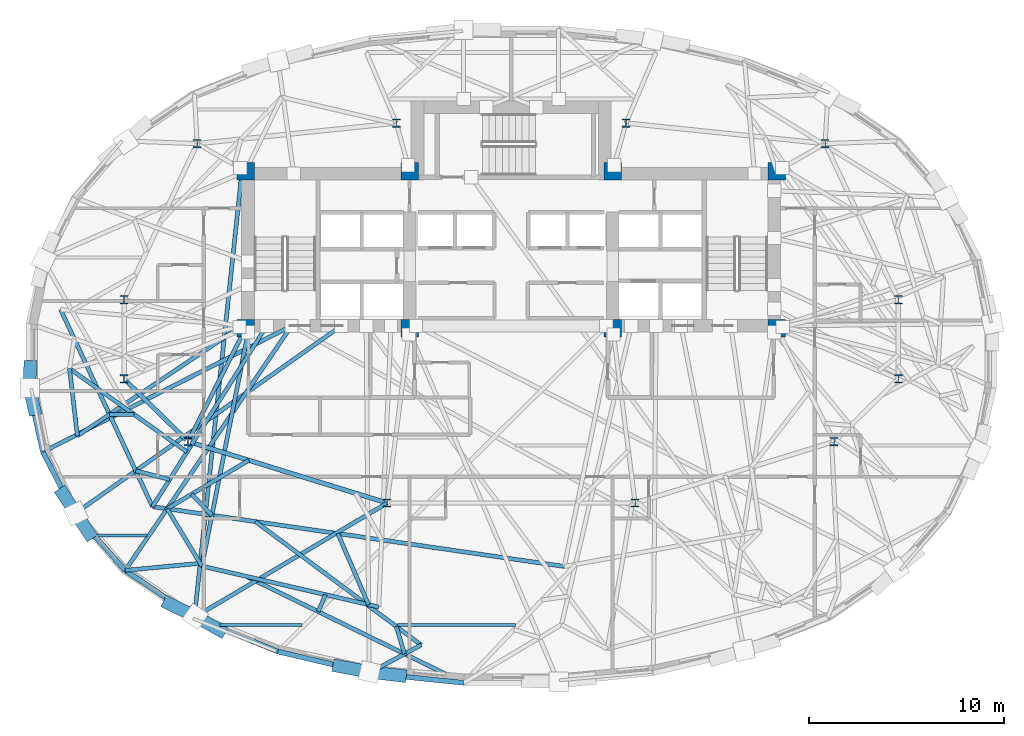
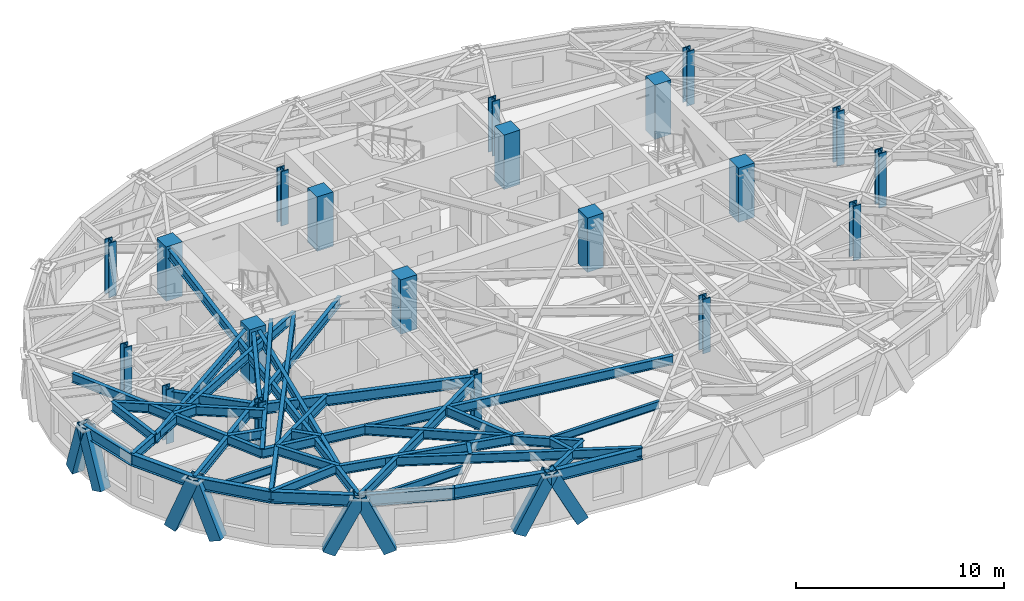
# One storey, part 1 of 14: 38 beams, 20 columns, 8 members.
"""IFC4 building model written with IfcOpenShell, lengths in metres."""

from ifc_helpers import new_model, si_unit, direction, frame, origin, origin_2d, place, context, subcontext, project, spatial, rectangle, hollow_rectangle, i_section, extrude, material, material_profile, profile_set, type_object, element, save


model = new_model("IFC4")

# Units and contexts
model_context = context("Model", 3, precision=1e-05, world=origin(), true_north=direction((0.0, 1.0)))
body_context = subcontext(model_context, "Body", "Model", "MODEL_VIEW")
ifc_project = project(units=[si_unit("LENGTHUNIT", "METRE"), si_unit("AREAUNIT", "SQUARE_METRE"), si_unit("VOLUMEUNIT", "CUBIC_METRE"), si_unit("PLANEANGLEUNIT", "RADIAN"), si_unit("MASSUNIT", "GRAM", prefix="KILO")], contexts=[model_context])

# Site, building, storey
site_placement = place(None, origin())
site = spatial("IfcSite", under=ifc_project, at=site_placement, CompositionType="ELEMENT")
building_placement = place(site_placement, origin())
building = spatial("IfcBuilding", under=site, at=building_placement, Name="Keldmark Tower", CompositionType="ELEMENT")
storey_placement = place(building_placement, frame((0.0, 0.0, 153.39990234375)))
storey = spatial("IfcBuildingStorey", under=building, at=storey_placement, Name="L41", CompositionType="ELEMENT", Elevation=153.39990234375)

# Columns
ifc_material_1 = material(Name="Concrete C50/60", Category="concrete")
ifc_material_profile_1 = material_profile(ifc_material_1, rectangle(XDim=0.89990234375, YDim=0.89990234375, at=origin_2d()), Name="RC900X900")
ifc_profile_set_1 = profile_set([ifc_material_profile_1], Name="Concrete C50/60")
column_type_1 = type_object("IfcColumnType", Name="Core Boundary Column RC900", PredefinedType="COLUMN", material=ifc_profile_set_1)
for number, where, z_axis, x_axis, name in (
    (1, (-13.60009765625, 1.39990234375, 0.0), (0.0, 0.0, 1.0), (1.0, 0.0, 0.0), "L41 Core Boundary Column CC-W1"),
    (2, (-13.60009765625, 9.449951171875, 0.0), (0.0, 0.0, 1.0), (1.0, 0.0, 0.0), "L41 Core Boundary Column CC-W2"),
    (3, (-5.199951171875, 1.39990234375, 0.0), (0.0, 0.0, 1.0), (1.0, 0.0, 0.0), "L41 Core Boundary Column CC-W3"),
    (4, (-5.199951171875, 9.449951171875, 0.0), (0.0, 0.0, 1.0), (1.0, 0.0, 0.0), "L41 Core Boundary Column CC-W4"),
    (5, (5.199951171875, 1.39990234375, 0.0), (0.0, 0.0, 1.0), (1.0, 0.0, 0.0), "L41 Core Boundary Column CC-E1"),
    (6, (5.199951171875, 9.449951171875, 0.0), (0.0, 0.0, 1.0), (1.0, 0.0, 0.0), "L41 Core Boundary Column CC-E2"),
    (7, (13.60009765625, 1.39990234375, 0.0), (0.0, 0.0, 1.0), (1.0, 0.0, 0.0), "L41 Core Boundary Column CC-E3"),
    (8, (13.60009765625, 9.449951171875, 0.0), (0.0, 0.0, 1.0), (1.0, 0.0, 0.0), "L41 Core Boundary Column CC-E4"),
):
    element("IfcColumn", number, at=place(storey_placement, frame(where, z_axis=z_axis, x_axis=x_axis)), inside=storey, type_object=column_type_1, Name=name, PredefinedType="COLUMN", context=body_context, shape_type="SweptSolid", body=[
        extrude(rectangle(XDim=0.89990234375, YDim=0.89990234375, at=origin_2d()), origin(), (0.0, 0.0, 1.0), 3.2001953125),
    ])
ifc_material_2 = material(Name="Steel ASTM A992 Grade 50", Category="steel")
ifc_material_profile_2 = material_profile(ifc_material_2, i_section(OverallWidth=0.412109375, OverallDepth=0.43505859375, WebThickness=0.035888671875, FlangeThickness=0.057373046875, at=origin_2d()), Name="W14X311")
ifc_profile_set_2 = profile_set([ifc_material_profile_2], Name="Steel ASTM A992 Grade 50")
column_type_2 = type_object("IfcColumnType", Name="Tower Gravity Column W14X311", PredefinedType="COLUMN", material=ifc_profile_set_2)
for number, where, z_axis, x_axis, name in (
    (9, (19.828369140625, 2.869140625, 0.0), (0.0, 0.0, 1.0), (1.0, 0.0, 0.0), "L41 Tower Gravity Column TC-E1"),
    (10, (16.08154296875, 10.861083984375, 0.0), (0.0, 0.0, 1.0), (1.0, 0.0, 0.0), "L41 Tower Gravity Column TC-E4"),
    (11, (5.880126953125, 11.915283203125, 0.0), (0.0, 0.0, 1.0), (1.0, 0.0, 0.0), "L41 Tower Gravity Column TC-N2"),
    (12, (-5.880126953125, 11.915283203125, 0.0), (0.0, 0.0, 1.0), (1.0, 0.0, 0.0), "L41 Tower Gravity Column TC-N1"),
    (13, (-16.08154296875, 10.861083984375, 0.0), (0.0, 0.0, 1.0), (1.0, 0.0, 0.0), "L41 Tower Gravity Column TC-W4"),
    (14, (-19.828369140625, 2.869140625, 0.0), (0.0, 0.0, 1.0), (1.0, 0.0, 0.0), "L41 Tower Gravity Column TC-W1"),
    (15, (-19.828369140625, -1.189208984375, 0.0), (0.0, 0.0, 1.0), (1.0, 0.0, 0.0), "L41 Tower Gravity Column TC-W5"),
    (16, (-16.546630859375, -4.3984375, 0.0), (0.0, 0.0, 1.0), (1.0, 0.0, 0.0), "L41 Tower Gravity Column TC-W2"),
    (17, (-6.351318359375, -7.546142578125, 0.0), (0.0, 0.0, 1.0), (1.0, 0.0, 0.0), "L41 Tower Gravity Column TC-W3"),
    (18, (6.351318359375, -7.546142578125, 0.0), (0.0, 0.0, 1.0), (1.0, 0.0, 0.0), "L41 Tower Gravity Column TC-E3"),
    (19, (16.546630859375, -4.3984375, 0.0), (0.0, 0.0, 1.0), (1.0, 0.0, 0.0), "L41 Tower Gravity Column TC-E2"),
    (20, (19.828369140625, -1.189208984375, 0.0), (0.0, 0.0, 1.0), (1.0, 0.0, 0.0), "L41 Tower Gravity Column TC-E5"),
):
    element("IfcColumn", number, at=place(storey_placement, frame(where, z_axis=z_axis, x_axis=x_axis)), inside=storey, type_object=column_type_2, Name=name, PredefinedType="COLUMN", context=body_context, shape_type="SweptSolid", body=[
        extrude(i_section(OverallWidth=0.412109375, OverallDepth=0.43505859375, WebThickness=0.035888671875, FlangeThickness=0.057373046875, at=origin_2d()), origin(), (0.0, 0.0, 1.0), 3.2001953125),
    ])

# Beams
ifc_material_3 = material(Name="Steel ASTM A992 Grade 50", Category="steel")
ifc_material_profile_3 = material_profile(ifc_material_3, i_section(OverallWidth=0.153076171875, OverallDepth=0.455078125, WebThickness=0.008056640625, FlangeThickness=0.01318359375, at=origin_2d()), Name="W18X40")
ifc_profile_set_3 = profile_set([ifc_material_profile_3], Name="Steel ASTM A992 Grade 50")
beam_type_1 = type_object("IfcBeamType", Name="Composite Floor Joist W18X40", PredefinedType="JOIST", material=ifc_profile_set_3)
beam_1_placement = place(storey_placement, frame((-14.923828125, -13.800048828125, 2.79248046875), z_axis=(1.0, 0.0, 0.0), x_axis=(0.0, 1.0, 0.0)))
element("IfcBeam", 21, at=beam_1_placement, inside=storey, type_object=beam_type_1, Name="L41 Composite Floor Joist J01", PredefinedType="JOIST", context=body_context, shape_type="SweptSolid", body=[
    extrude(i_section(OverallWidth=0.153076171875, OverallDepth=0.455078125, WebThickness=0.008056640625, FlangeThickness=0.01318359375, at=origin_2d()), origin(), (0.0, 0.0, 1.0), 4.20166015625),
])
beam_2_placement = place(storey_placement, frame((-5.808837890625, -13.800048828125, 2.79248046875), z_axis=(1.0, 0.0, 0.0), x_axis=(0.0, 1.0, 0.0)))
element("IfcBeam", 22, at=beam_2_placement, inside=storey, type_object=beam_type_1, Name="L41 Composite Floor Joist J02", PredefinedType="JOIST", context=body_context, shape_type="SweptSolid", body=[
    extrude(i_section(OverallWidth=0.153076171875, OverallDepth=0.455078125, WebThickness=0.008056640625, FlangeThickness=0.01318359375, at=origin_2d()), origin(), (0.0, 0.0, 1.0), 6.03173828125),
])
beam_3_placement = place(storey_placement, frame((-21.21044921875, -9.199951171875, 2.79248046875), z_axis=(1.0, 0.0, 0.0), x_axis=(0.0, 1.0, 0.0)))
element("IfcBeam", 23, at=beam_3_placement, inside=storey, type_object=beam_type_1, Name="L41 Composite Floor Joist J03", PredefinedType="JOIST", context=body_context, shape_type="SweptSolid", body=[
    extrude(i_section(OverallWidth=0.153076171875, OverallDepth=0.455078125, WebThickness=0.008056640625, FlangeThickness=0.01318359375, at=origin_2d()), origin(), (0.0, 0.0, 1.0), 2.54833984375),
])

# Members
ifc_material_4 = material(Name="Steel ASTM A572 Grade 50", Category="steel")
ifc_material_profile_4 = material_profile(ifc_material_4, hollow_rectangle(XDim=0.64990234375, YDim=0.64990234375, WallThickness=0.0400390625, at=origin_2d()), Name="BOX650X650X40")
ifc_profile_set_4 = profile_set([ifc_material_profile_4], Name="Steel ASTM A572 Grade 50")
member_type = type_object("IfcMemberType", Name="Diagrid Zone 3 Brace BOX650X650X40", PredefinedType="BRACE", material=ifc_profile_set_4)
member_1_placement = place(storey_placement, frame((-24.638916015625, -0.555419921875, -0.260009765625), z_axis=(-0.006711651637, -0.32901683566, 0.944300204164), x_axis=(0.999792003005, -0.020394870128, 0.0)))
element("IfcMember", 24, at=member_1_placement, inside=storey, type_object=member_type, Name="L41 Perimeter Diagrid Brace 08B", PredefinedType="BRACE", context=body_context, shape_type="SweptSolid", body=[
    extrude(hollow_rectangle(XDim=0.64990234375, YDim=0.64990234375, WallThickness=0.0400390625, at=origin_2d()), origin(), (0.0, 0.0, 1.0), 3.3466796875),
])
member_2_placement = place(storey_placement, frame((-24.422119140625, -2.74169921875, -0.260009765625), z_axis=(-0.071340478042, 0.327147049308, 0.942276681406), x_axis=(-0.977038807017, -0.213061422091, 0.0)))
element("IfcMember", 25, at=member_2_placement, inside=storey, type_object=member_type, Name="L41 Perimeter Diagrid Brace 09A", PredefinedType="BRACE", context=body_context, shape_type="SweptSolid", body=[
    extrude(hollow_rectangle(XDim=0.64990234375, YDim=0.64990234375, WallThickness=0.0400390625, at=origin_2d()), origin(), (0.0, 0.0, 1.0), 3.353759765625),
])
member_3_placement = place(storey_placement, frame((-22.968017578125, -7.069091796875, -0.260009765625), z_axis=(0.198015609703, -0.299258842049, 0.933399144937), x_axis=(0.833962125569, 0.551821685979, 0.0)))
element("IfcMember", 26, at=member_3_placement, inside=storey, type_object=member_type, Name="L41 Perimeter Diagrid Brace 09B", PredefinedType="BRACE", context=body_context, shape_type="SweptSolid", body=[
    extrude(hollow_rectangle(XDim=0.64990234375, YDim=0.64990234375, WallThickness=0.0400390625, at=origin_2d()), origin(), (0.0, 0.0, 1.0), 3.3857421875),
])
member_4_placement = place(storey_placement, frame((-21.614990234375, -9.11376953125, -0.260009765625), z_axis=(-0.202259445413, 0.306802071728, 0.93003419589), x_axis=(-0.834896943482, -0.550406298806, 0.0)))
element("IfcMember", 27, at=member_4_placement, inside=storey, type_object=member_type, Name="L41 Perimeter Diagrid Brace 10A", PredefinedType="BRACE", context=body_context, shape_type="SweptSolid", body=[
    extrude(hollow_rectangle(XDim=0.64990234375, YDim=0.64990234375, WallThickness=0.0400390625, at=origin_2d()), origin(), (0.0, 0.0, 1.0), 3.39794921875),
])
member_5_placement = place(storey_placement, frame((-17.540771484375, -12.692626953125, -0.260009765625), z_axis=(0.389262367062, -0.19055823621, 0.901200514981), x_axis=(0.43967970767, 0.898154638502, 0.0)))
element("IfcMember", 28, at=member_5_placement, inside=storey, type_object=member_type, Name="L41 Perimeter Diagrid Brace 10B", PredefinedType="BRACE", context=body_context, shape_type="SweptSolid", body=[
    extrude(hollow_rectangle(XDim=0.64990234375, YDim=0.64990234375, WallThickness=0.0400390625, at=origin_2d()), origin(), (0.0, 0.0, 1.0), 3.506591796875),
])
member_6_placement = place(storey_placement, frame((-14.902099609375, -14.0673828125, -0.260009765625), z_axis=(-0.36792019252, 0.205155270177, 0.906943243569), x_axis=(-0.487012197911, -0.873395167771, 0.0)))
element("IfcMember", 29, at=member_6_placement, inside=storey, type_object=member_type, Name="L41 Perimeter Diagrid Brace 11A", PredefinedType="BRACE", context=body_context, shape_type="SweptSolid", body=[
    extrude(hollow_rectangle(XDim=0.64990234375, YDim=0.64990234375, WallThickness=0.0400390625, at=origin_2d()), origin(), (0.0, 0.0, 1.0), 3.484375),
])
member_7_placement = place(storey_placement, frame((-8.84619140625, -15.9013671875, -0.260009765625), z_axis=(0.449804063263, -0.085441480333, 0.889030965777), x_axis=(0.186615762, 0.982432978566, 0.0)))
element("IfcMember", 30, at=member_7_placement, inside=storey, type_object=member_type, Name="L41 Perimeter Diagrid Brace 11B", PredefinedType="BRACE", context=body_context, shape_type="SweptSolid", body=[
    extrude(hollow_rectangle(XDim=0.64990234375, YDim=0.64990234375, WallThickness=0.0400390625, at=origin_2d()), origin(), (0.0, 0.0, 1.0), 3.5546875),
])
member_8_placement = place(storey_placement, frame((-5.65673828125, -16.390380859375, -0.260009765625), z_axis=(-0.451410084084, 0.053536134972, 0.890709165912), x_axis=(-0.117772197661, -0.993040638372, 0.0)))
element("IfcMember", 31, at=member_8_placement, inside=storey, type_object=member_type, Name="L41 Perimeter Diagrid Brace 12A", PredefinedType="BRACE", context=body_context, shape_type="SweptSolid", body=[
    extrude(hollow_rectangle(XDim=0.64990234375, YDim=0.64990234375, WallThickness=0.0400390625, at=origin_2d()), origin(), (0.0, 0.0, 1.0), 3.5478515625),
])

# Beams
ifc_material_5 = material(Name="Steel ASTM A992 Grade 50", Category="steel")
ifc_material_profile_5 = material_profile(ifc_material_5, i_section(OverallWidth=0.22900390625, OverallDepth=0.612060546875, WebThickness=0.011962890625, FlangeThickness=0.01953125, at=origin_2d()), Name="W24X84")
ifc_profile_set_5 = profile_set([ifc_material_profile_5], Name="Steel ASTM A992 Grade 50")
beam_type_2 = type_object("IfcBeamType", Name="Primary Floor Girder W24X84", PredefinedType="BEAM", material=ifc_profile_set_5)
beam_4_placement = place(storey_placement, frame((-19.728271484375, -1.287109375, 2.714111328125), z_axis=(0.714964509815, -0.699160746684, 0.0), x_axis=(0.699160746684, 0.714964509815, 0.0)))
element("IfcBeam", 32, at=beam_4_placement, inside=storey, type_object=beam_type_2, Name="L41 Floor Ring Girder FG-R07", PredefinedType="BEAM", context=body_context, shape_type="SweptSolid", body=[
    extrude(i_section(OverallWidth=0.22900390625, OverallDepth=0.612060546875, WebThickness=0.011962890625, FlangeThickness=0.01953125, at=origin_2d()), origin(), (0.0, 0.0, 1.0), 4.31005859375),
])
beam_5_placement = place(storey_placement, frame((-16.412841796875, -4.439697265625, 2.714111328125), z_axis=(0.955494563145, -0.295008711398, 0.0), x_axis=(0.295008711398, 0.955494563145, 0.0)))
element("IfcBeam", 33, at=beam_5_placement, inside=storey, type_object=beam_type_2, Name="L41 Floor Ring Girder FG-R08", PredefinedType="BEAM", context=body_context, shape_type="SweptSolid", body=[
    extrude(i_section(OverallWidth=0.22900390625, OverallDepth=0.612060546875, WebThickness=0.011962890625, FlangeThickness=0.01953125, at=origin_2d()), origin(), (0.0, 0.0, 1.0), 10.39013671875),
])
ifc_material_6 = material(Name="Steel ASTM A992 Grade 50", Category="steel")
ifc_material_profile_6 = material_profile(ifc_material_6, i_section(OverallWidth=0.2099609375, OverallDepth=0.537109375, WebThickness=0.010986328125, FlangeThickness=0.017333984375, at=origin_2d()), Name="W21X68")
ifc_profile_set_6 = profile_set([ifc_material_profile_6], Name="Steel ASTM A992 Grade 50")
beam_type_3 = type_object("IfcBeamType", Name="Radial Tie Girder W21X68", PredefinedType="BEAM", material=ifc_profile_set_6)
beam_6_placement = place(storey_placement, frame((-16.4833984375, -4.273681640625, 2.751708984375), z_axis=(0.453036691775, 0.891491870914, 0.0), x_axis=(-0.891491870914, 0.453036691775, 0.0)))
element("IfcBeam", 34, at=beam_6_placement, inside=storey, type_object=beam_type_3, Name="L41 Floor Radial Girder FG-C08", PredefinedType="BEAM", context=body_context, shape_type="SweptSolid", body=[
    extrude(i_section(OverallWidth=0.2099609375, OverallDepth=0.537109375, WebThickness=0.010986328125, FlangeThickness=0.017333984375, at=origin_2d()), origin(), (0.0, 0.0, 1.0), 6.044189453125),
])
beam_7_placement = place(storey_placement, frame((-22.62109375, -0.661376953125, 2.751708984375), z_axis=(0.815437635183, -0.57884493876, 0.0), x_axis=(0.57884493876, 0.815437635183, 0.0)))
element("IfcBeam", 35, at=beam_7_placement, inside=storey, type_object=beam_type_3, Name="L41 Framing Pin Header PH-006", PredefinedType="BEAM", context=body_context, shape_type="SweptSolid", body=[
    extrude(i_section(OverallWidth=0.2099609375, OverallDepth=0.537109375, WebThickness=0.010986328125, FlangeThickness=0.017333984375, at=origin_2d()), origin(), (0.0, 0.0, 1.0), 7.380126953125),
])
beam_8_placement = place(storey_placement, frame((-12.52490234375, 1.52490234375, 2.751708984375), z_axis=(-0.533919996754, -0.845535000498, 0.0), x_axis=(0.845535000498, -0.533919996754, 0.0)))
element("IfcBeam", 36, at=beam_8_placement, inside=storey, type_object=beam_type_3, Name="L41 Sub-Ring Step Girder STP2-M08", PredefinedType="BEAM", context=body_context, shape_type="SweptSolid", body=[
    extrude(i_section(OverallWidth=0.2099609375, OverallDepth=0.537109375, WebThickness=0.010986328125, FlangeThickness=0.017333984375, at=origin_2d()), origin(), (0.0, 0.0, 1.0), 10.9482421875),
])
beam_9_placement = place(storey_placement, frame((-23.0751953125, 2.362060546875, 2.751708984375), z_axis=(0.422456980887, -0.906382976065, 0.0), x_axis=(0.906382976065, 0.422456980887, 0.0)))
element("IfcBeam", 37, at=beam_9_placement, inside=storey, type_object=beam_type_3, Name="L41 Perimeter Collector Ring Beam CRG2-M07", PredefinedType="BEAM", context=body_context, shape_type="SweptSolid", body=[
    extrude(i_section(OverallWidth=0.2099609375, OverallDepth=0.537109375, WebThickness=0.010986328125, FlangeThickness=0.017333984375, at=origin_2d()), origin(), (0.0, 0.0, 1.0), 11.13671875),
])
beam_10_placement = place(storey_placement, frame((-18.370361328125, -7.732177734375, 2.751708984375), z_axis=(0.989612470414, -0.143760767947, 0.0), x_axis=(0.143760767947, 0.989612470414, 0.0)))
element("IfcBeam", 38, at=beam_10_placement, inside=storey, type_object=beam_type_3, Name="L41 Perimeter Collector Ring Beam CRG2-M08", PredefinedType="BEAM", context=body_context, shape_type="SweptSolid", body=[
    extrude(i_section(OverallWidth=0.2099609375, OverallDepth=0.537109375, WebThickness=0.010986328125, FlangeThickness=0.017333984375, at=origin_2d()), origin(), (0.0, 0.0, 1.0), 21.31298828125),
])
beam_11_placement = place(storey_placement, frame((-19.31103515625, -3.010986328125, 2.751708984375), z_axis=(-0.999996834971, 0.002515958749, 0.0), x_axis=(-0.002515958749, -0.999996834971, 0.0)))
element("IfcBeam", 39, at=beam_11_placement, inside=storey, type_object=beam_type_3, Name="L41 Framing Pin Header PH-017", PredefinedType="BEAM", context=body_context, shape_type="SweptSolid", body=[
    extrude(i_section(OverallWidth=0.2099609375, OverallDepth=0.537109375, WebThickness=0.010986328125, FlangeThickness=0.017333984375, at=origin_2d()), origin(), (0.0, 0.0, 1.0), 1.261474609375),
])
beam_12_placement = place(storey_placement, frame((-13.800048828125, 1.52490234375, 2.751708984375), z_axis=(-0.831051073888, -0.556196109829, 0.0), x_axis=(0.556196109829, -0.831051073888, 0.0)))
element("IfcBeam", 40, at=beam_12_placement, inside=storey, type_object=beam_type_3, Name="L41 Intermediate Radial Step Girder RT-18M", PredefinedType="BEAM", context=body_context, shape_type="SweptSolid", body=[
    extrude(i_section(OverallWidth=0.2099609375, OverallDepth=0.537109375, WebThickness=0.010986328125, FlangeThickness=0.017333984375, at=origin_2d()), origin(), (0.0, 0.0, 1.0), 10.125244140625),
])
beam_13_placement = place(storey_placement, frame((-22.62109375, -0.661376953125, 2.751708984375), z_axis=(0.117171972789, -0.993111639642, 0.0), x_axis=(0.993111639642, 0.117171972789, 0.0)))
element("IfcBeam", 41, at=beam_13_placement, inside=storey, type_object=beam_type_3, Name="L41 Local Collector Chord RT-18C", PredefinedType="BEAM", context=body_context, shape_type="SweptSolid", body=[
    extrude(i_section(OverallWidth=0.2099609375, OverallDepth=0.537109375, WebThickness=0.010986328125, FlangeThickness=0.017333984375, at=origin_2d()), origin(), (0.0, 0.0, 1.0), 3.46923828125),
])
beam_14_placement = place(storey_placement, frame((-11.25, 1.52490234375, 2.751708984375), z_axis=(-0.891902914456, -0.452226924437, 0.0), x_axis=(0.452226924437, -0.891902914456, 0.0)))
element("IfcBeam", 42, at=beam_14_placement, inside=storey, type_object=beam_type_3, Name="L41 Perimeter Radial Tie Girder RT-18", PredefinedType="BEAM", context=body_context, shape_type="SweptSolid", body=[
    extrude(i_section(OverallWidth=0.2099609375, OverallDepth=0.537109375, WebThickness=0.010986328125, FlangeThickness=0.017333984375, at=origin_2d()), origin(), (0.0, 0.0, 1.0), 14.27783203125),
])
beam_15_placement = place(storey_placement, frame((-17.493408203125, -6.343505859375, 2.751708984375), z_axis=(-0.968087618239, 0.250611977792, 0.0), x_axis=(-0.250611977792, -0.968087618239, 0.0)))
element("IfcBeam", 43, at=beam_15_placement, inside=storey, type_object=beam_type_3, Name="L41 Framing Pin Header PH-018", PredefinedType="BEAM", context=body_context, shape_type="SweptSolid", body=[
    extrude(i_section(OverallWidth=0.2099609375, OverallDepth=0.537109375, WebThickness=0.010986328125, FlangeThickness=0.017333984375, at=origin_2d()), origin(), (0.0, 0.0, 1.0), 1.79052734375),
])
beam_16_placement = place(storey_placement, frame((-8.699951171875, 1.52490234375, 2.751708984375), z_axis=(-0.817371857642, -0.576110446299, 0.0), x_axis=(0.576110446299, -0.817371857642, 0.0)))
element("IfcBeam", 44, at=beam_16_placement, inside=storey, type_object=beam_type_3, Name="L41 Perimeter Radial Tie Girder RT-19", PredefinedType="BEAM", context=body_context, shape_type="SweptSolid", body=[
    extrude(i_section(OverallWidth=0.2099609375, OverallDepth=0.537109375, WebThickness=0.010986328125, FlangeThickness=0.017333984375, at=origin_2d()), origin(), (0.0, 0.0, 1.0), 16.7060546875),
])
beam_17_placement = place(storey_placement, frame((-13.4345703125, -5.359375, 2.751708984375), z_axis=(-0.860194542, -0.509966028195, 0.0), x_axis=(0.509966028195, -0.860194542, 0.0)))
element("IfcBeam", 45, at=beam_17_placement, inside=storey, type_object=beam_type_3, Name="L41 Framing Pin Header PH-019", PredefinedType="BEAM", context=body_context, shape_type="SweptSolid", body=[
    extrude(i_section(OverallWidth=0.2099609375, OverallDepth=0.537109375, WebThickness=0.010986328125, FlangeThickness=0.017333984375, at=origin_2d()), origin(), (0.0, 0.0, 1.0), 4.866455078125),
])
beam_18_placement = place(storey_placement, frame((-11.25, 1.52490234375, 2.751708984375), z_axis=(-0.562414971451, -0.8268551263, 0.0), x_axis=(0.8268551263, -0.562414971451, 0.0)))
element("IfcBeam", 46, at=beam_18_placement, inside=storey, type_object=beam_type_3, Name="L41 Perimeter Radial Tie Girder RT-20", PredefinedType="BEAM", context=body_context, shape_type="SweptSolid", body=[
    extrude(i_section(OverallWidth=0.2099609375, OverallDepth=0.537109375, WebThickness=0.010986328125, FlangeThickness=0.017333984375, at=origin_2d()), origin(), (0.0, 0.0, 1.0), 15.142822265625),
])
beam_19_placement = place(storey_placement, frame((-16.36474609375, -7.0966796875, 2.751708984375), z_axis=(0.693682452171, -0.720280955982, 0.0), x_axis=(0.720280955982, 0.693682452171, 0.0)))
element("IfcBeam", 47, at=beam_19_placement, inside=storey, type_object=beam_type_3, Name="L41 Framing Pin Header PH-020", PredefinedType="BEAM", context=body_context, shape_type="SweptSolid", body=[
    extrude(i_section(OverallWidth=0.2099609375, OverallDepth=0.537109375, WebThickness=0.010986328125, FlangeThickness=0.017333984375, at=origin_2d()), origin(), (0.0, 0.0, 1.0), 1.49609375),
])
beam_20_placement = place(storey_placement, frame((-13.47509765625, 1.199951171875, 2.751708984375), z_axis=(-0.193819684381, -0.981037170522, 0.0), x_axis=(0.981037170522, -0.193819684381, 0.0)))
element("IfcBeam", 48, at=beam_20_placement, inside=storey, type_object=beam_type_3, Name="L41 Intermediate Radial Step Girder RT-21M", PredefinedType="BEAM", context=body_context, shape_type="SweptSolid", body=[
    extrude(i_section(OverallWidth=0.2099609375, OverallDepth=0.537109375, WebThickness=0.010986328125, FlangeThickness=0.017333984375, at=origin_2d()), origin(), (0.0, 0.0, 1.0), 12.208251953125),
])
beam_21_placement = place(storey_placement, frame((-17.62060546875, -7.841064453125, 2.751708984375), z_axis=(0.518308020698, -0.85519401055, 0.0), x_axis=(0.85519401055, 0.518308020698, 0.0)))
element("IfcBeam", 49, at=beam_21_placement, inside=storey, type_object=beam_type_3, Name="L41 Local Collector Chord RT-21C", PredefinedType="BEAM", context=body_context, shape_type="SweptSolid", body=[
    extrude(i_section(OverallWidth=0.2099609375, OverallDepth=0.537109375, WebThickness=0.010986328125, FlangeThickness=0.017333984375, at=origin_2d()), origin(), (0.0, 0.0, 1.0), 3.432861328125),
])
beam_22_placement = place(storey_placement, frame((-19.7666015625, -10.99609375, 2.751708984375), z_axis=(0.995594235141, 0.093766299666, 0.0), x_axis=(-0.093766299666, 0.995594235141, 0.0)))
element("IfcBeam", 50, at=beam_22_placement, inside=storey, type_object=beam_type_3, Name="L41 Framing Pin Header PH-021", PredefinedType="BEAM", context=body_context, shape_type="SweptSolid", body=[
    extrude(i_section(OverallWidth=0.2099609375, OverallDepth=0.537109375, WebThickness=0.010986328125, FlangeThickness=0.017333984375, at=origin_2d()), origin(), (0.0, 0.0, 1.0), 3.856201171875),
])
beam_23_placement = place(storey_placement, frame((-13.800048828125, 9.324951171875, 2.751708984375), z_axis=(-0.105988785977, -0.99436732511, 0.0), x_axis=(0.99436732511, -0.105988785977, 0.0)))
element("IfcBeam", 51, at=beam_23_placement, inside=storey, type_object=beam_type_3, Name="L41 Perimeter Radial Tie Girder RT-21", PredefinedType="BEAM", context=body_context, shape_type="SweptSolid", body=[
    extrude(i_section(OverallWidth=0.2099609375, OverallDepth=0.537109375, WebThickness=0.010986328125, FlangeThickness=0.017333984375, at=origin_2d()), origin(), (0.0, 0.0, 1.0), 22.8525390625),
])
beam_24_placement = place(storey_placement, frame((-15.84130859375, -10.77685546875, 2.751708984375), z_axis=(0.974267565024, -0.225394569019, 0.0), x_axis=(0.225394569019, 0.974267565024, 0.0)))
element("IfcBeam", 52, at=beam_24_placement, inside=storey, type_object=beam_type_3, Name="L41 Local Collector Chord RT-23C", PredefinedType="BEAM", context=body_context, shape_type="SweptSolid", body=[
    extrude(i_section(OverallWidth=0.2099609375, OverallDepth=0.537109375, WebThickness=0.010986328125, FlangeThickness=0.017333984375, at=origin_2d()), origin(), (0.0, 0.0, 1.0), 9.296875),
])
beam_25_placement = place(storey_placement, frame((-8.879150390625, -9.111083984375, 2.751708984375), z_axis=(0.396836868244, -0.917889154529, 0.0), x_axis=(0.917889154529, 0.396836868244, 0.0)))
element("IfcBeam", 53, at=beam_25_placement, inside=storey, type_object=beam_type_3, Name="L41 Framing Pin Header PH-023", PredefinedType="BEAM", context=body_context, shape_type="SweptSolid", body=[
    extrude(i_section(OverallWidth=0.2099609375, OverallDepth=0.537109375, WebThickness=0.010986328125, FlangeThickness=0.017333984375, at=origin_2d()), origin(), (0.0, 0.0, 1.0), 3.96630859375),
])
beam_26_placement = place(storey_placement, frame((-13.097412109375, -8.498291015625, 2.751708984375), z_axis=(0.802245557709, -0.596994191878, 0.0), x_axis=(0.596994191878, 0.802245557709, 0.0)))
element("IfcBeam", 54, at=beam_26_placement, inside=storey, type_object=beam_type_3, Name="L41 Intermediate Radial Step Girder RT-24M", PredefinedType="BEAM", context=body_context, shape_type="SweptSolid", body=[
    extrude(i_section(OverallWidth=0.2099609375, OverallDepth=0.537109375, WebThickness=0.010986328125, FlangeThickness=0.017333984375, at=origin_2d()), origin(), (0.0, 0.0, 1.0), 10.580322265625),
])
beam_27_placement = place(storey_placement, frame((-7.275634765625, -16.2578125, 2.751708984375), z_axis=(0.879445086198, 0.476000357524, 0.0), x_axis=(-0.476000357524, 0.879445086198, 0.0)))
element("IfcBeam", 55, at=beam_27_placement, inside=storey, type_object=beam_type_3, Name="L41 Local Collector Chord RT-24C", PredefinedType="BEAM", context=body_context, shape_type="SweptSolid", body=[
    extrude(i_section(OverallWidth=0.2099609375, OverallDepth=0.537109375, WebThickness=0.010986328125, FlangeThickness=0.017333984375, at=origin_2d()), origin(), (0.0, 0.0, 1.0), 3.03173828125),
])
beam_28_placement = place(storey_placement, frame((-5.882568359375, -13.8671875, 2.751708984375), z_axis=(0.28713457786, -0.957890251645, 0.0), x_axis=(0.957890251645, 0.28713457786, 0.0)))
element("IfcBeam", 56, at=beam_28_placement, inside=storey, type_object=beam_type_3, Name="L41 Framing Pin Header PH-024", PredefinedType="BEAM", context=body_context, shape_type="SweptSolid", body=[
    extrude(i_section(OverallWidth=0.2099609375, OverallDepth=0.537109375, WebThickness=0.010986328125, FlangeThickness=0.017333984375, at=origin_2d()), origin(), (0.0, 0.0, 1.0), 1.47021484375),
])
beam_29_placement = place(storey_placement, frame((-13.576904296875, -11.30078125, 2.751708984375), z_axis=(0.898088406856, -0.439814976406, 0.0), x_axis=(0.439814976406, 0.898088406856, 0.0)))
element("IfcBeam", 57, at=beam_29_placement, inside=storey, type_object=beam_type_3, Name="L41 Perimeter Radial Tie Girder RT-24", PredefinedType="BEAM", context=body_context, shape_type="SweptSolid", body=[
    extrude(i_section(OverallWidth=0.2099609375, OverallDepth=0.537109375, WebThickness=0.010986328125, FlangeThickness=0.017333984375, at=origin_2d()), origin(), (0.0, 0.0, 1.0), 12.406494140625),
])
beam_30_placement = place(storey_placement, frame((-16.22216796875, -13.39892578125, 2.751708984375), z_axis=(0.860161913077, 0.510021061616, 0.0), x_axis=(-0.510021061616, 0.860161913077, 0.0)))
element("IfcBeam", 58, at=beam_30_placement, inside=storey, type_object=beam_type_3, Name="L41 Straddling Support Chord RT-22RB", PredefinedType="BEAM", context=body_context, shape_type="SweptSolid", body=[
    extrude(i_section(OverallWidth=0.2099609375, OverallDepth=0.537109375, WebThickness=0.010986328125, FlangeThickness=0.017333984375, at=origin_2d()), origin(), (0.0, 0.0, 1.0), 11.4755859375),
])
beam_31_placement = place(storey_placement, frame((-9.5009765625, -12.24365234375, 2.751708984375), z_axis=(-0.406736642352, -0.913545457965, 0.0), x_axis=(0.913545457965, -0.406736642352, 0.0)))
element("IfcBeam", 59, at=beam_31_placement, inside=storey, type_object=beam_type_3, Name="L41 Framing Pin Header PH-038", PredefinedType="BEAM", context=body_context, shape_type="SweptSolid", body=[
    extrude(i_section(OverallWidth=0.2099609375, OverallDepth=0.537109375, WebThickness=0.010986328125, FlangeThickness=0.017333984375, at=origin_2d()), origin(), (0.0, 0.0, 1.0), 0.946533203125),
])
ifc_material_7 = material(Name="Steel ASTM A992 Grade 50", Category="steel")
ifc_material_profile_7 = material_profile(ifc_material_7, i_section(OverallWidth=0.256103515625, OverallDepth=0.693115234375, WebThickness=0.014404296875, FlangeThickness=0.023681640625, at=origin_2d()), Name="W27X114")
ifc_profile_set_7 = profile_set([ifc_material_profile_7], Name="Steel ASTM A992 Grade 50")
beam_type_4 = type_object("IfcBeamType", Name="Spandrel Ring Beam W27X114", PredefinedType="SPANDREL", material=ifc_profile_set_7)
beam_32_placement = place(storey_placement, frame((-24.72119140625, -1.650390625, 2.673583984375), z_axis=(0.219082064113, -0.975706435965, 0.0), x_axis=(0.975706435965, 0.219082064113, 0.0)))
element("IfcBeam", 60, at=beam_32_placement, inside=storey, type_object=beam_type_4, Name="L41 Perimeter Spandrel Ring Beam SRB-17", PredefinedType="SPANDREL", context=body_context, shape_type="SweptSolid", body=[
    extrude(i_section(OverallWidth=0.256103515625, OverallDepth=0.693115234375, WebThickness=0.014404296875, FlangeThickness=0.023681640625, at=origin_2d()), origin(), (0.0, 0.0, 1.0), 3.36328125),
])
beam_33_placement = place(storey_placement, frame((-23.984375, -4.931884765625, 2.673583984375), z_axis=(0.457409955052, -0.889255943483, 0.0), x_axis=(0.889255943483, 0.457409955052, 0.0)))
element("IfcBeam", 61, at=beam_33_placement, inside=storey, type_object=beam_type_4, Name="L41 Perimeter Spandrel Ring Beam SRB-18", PredefinedType="SPANDREL", context=body_context, shape_type="SweptSolid", body=[
    extrude(i_section(OverallWidth=0.256103515625, OverallDepth=0.693115234375, WebThickness=0.014404296875, FlangeThickness=0.023681640625, at=origin_2d()), origin(), (0.0, 0.0, 1.0), 3.562255859375),
])
beam_34_placement = place(storey_placement, frame((-22.35498046875, -8.099609375, 2.673583984375), z_axis=(0.666335444554, -0.745652114147, 0.0), x_axis=(0.745652114147, 0.666335444554, 0.0)))
element("IfcBeam", 62, at=beam_34_placement, inside=storey, type_object=beam_type_4, Name="L41 Perimeter Spandrel Ring Beam SRB-19", PredefinedType="SPANDREL", context=body_context, shape_type="SweptSolid", body=[
    extrude(i_section(OverallWidth=0.256103515625, OverallDepth=0.693115234375, WebThickness=0.014404296875, FlangeThickness=0.023681640625, at=origin_2d()), origin(), (0.0, 0.0, 1.0), 3.884521484375),
])
beam_35_placement = place(storey_placement, frame((-19.7666015625, -10.99609375, 2.673583984375), z_axis=(0.827727349007, -0.561130497929, 0.0), x_axis=(0.561130497929, 0.827727349007, 0.0)))
element("IfcBeam", 63, at=beam_35_placement, inside=storey, type_object=beam_type_4, Name="L41 Perimeter Spandrel Ring Beam SRB-20", PredefinedType="SPANDREL", context=body_context, shape_type="SweptSolid", body=[
    extrude(i_section(OverallWidth=0.256103515625, OverallDepth=0.693115234375, WebThickness=0.014404296875, FlangeThickness=0.023681640625, at=origin_2d()), origin(), (0.0, 0.0, 1.0), 4.2822265625),
])
beam_36_placement = place(storey_placement, frame((-16.22216796875, -13.39892578125, 2.673583984375), z_axis=(0.925051987149, -0.379840520576, 0.0), x_axis=(0.379840520576, 0.925051987149, 0.0)))
element("IfcBeam", 64, at=beam_36_placement, inside=storey, type_object=beam_type_4, Name="L41 Perimeter Spandrel Ring Beam SRB-21", PredefinedType="SPANDREL", context=body_context, shape_type="SweptSolid", body=[
    extrude(i_section(OverallWidth=0.256103515625, OverallDepth=0.693115234375, WebThickness=0.014404296875, FlangeThickness=0.023681640625, at=origin_2d()), origin(), (0.0, 0.0, 1.0), 4.619384765625),
])
beam_37_placement = place(storey_placement, frame((-11.948974609375, -15.153564453125, 2.673583984375), z_axis=(0.973201371538, -0.229954539936, 0.0), x_axis=(0.229954539936, 0.973201371538, 0.0)))
element("IfcBeam", 65, at=beam_37_placement, inside=storey, type_object=beam_type_4, Name="L41 Perimeter Spandrel Ring Beam SRB-22", PredefinedType="SPANDREL", context=body_context, shape_type="SweptSolid", body=[
    extrude(i_section(OverallWidth=0.256103515625, OverallDepth=0.693115234375, WebThickness=0.014404296875, FlangeThickness=0.023681640625, at=origin_2d()), origin(), (0.0, 0.0, 1.0), 4.802001953125),
])
beam_38_placement = place(storey_placement, frame((-7.275634765625, -16.2578125, 2.673583984375), z_axis=(0.994718319881, -0.10264240884, 0.0), x_axis=(0.10264240884, 0.994718319881, 0.0)))
element("IfcBeam", 66, at=beam_38_placement, inside=storey, type_object=beam_type_4, Name="L41 Perimeter Spandrel Ring Beam SRB-23", PredefinedType="SPANDREL", context=body_context, shape_type="SweptSolid", body=[
    extrude(i_section(OverallWidth=0.256103515625, OverallDepth=0.693115234375, WebThickness=0.014404296875, FlangeThickness=0.023681640625, at=origin_2d()), origin(), (0.0, 0.0, 1.0), 4.866455078125),
])

save(model, "model.ifc")
